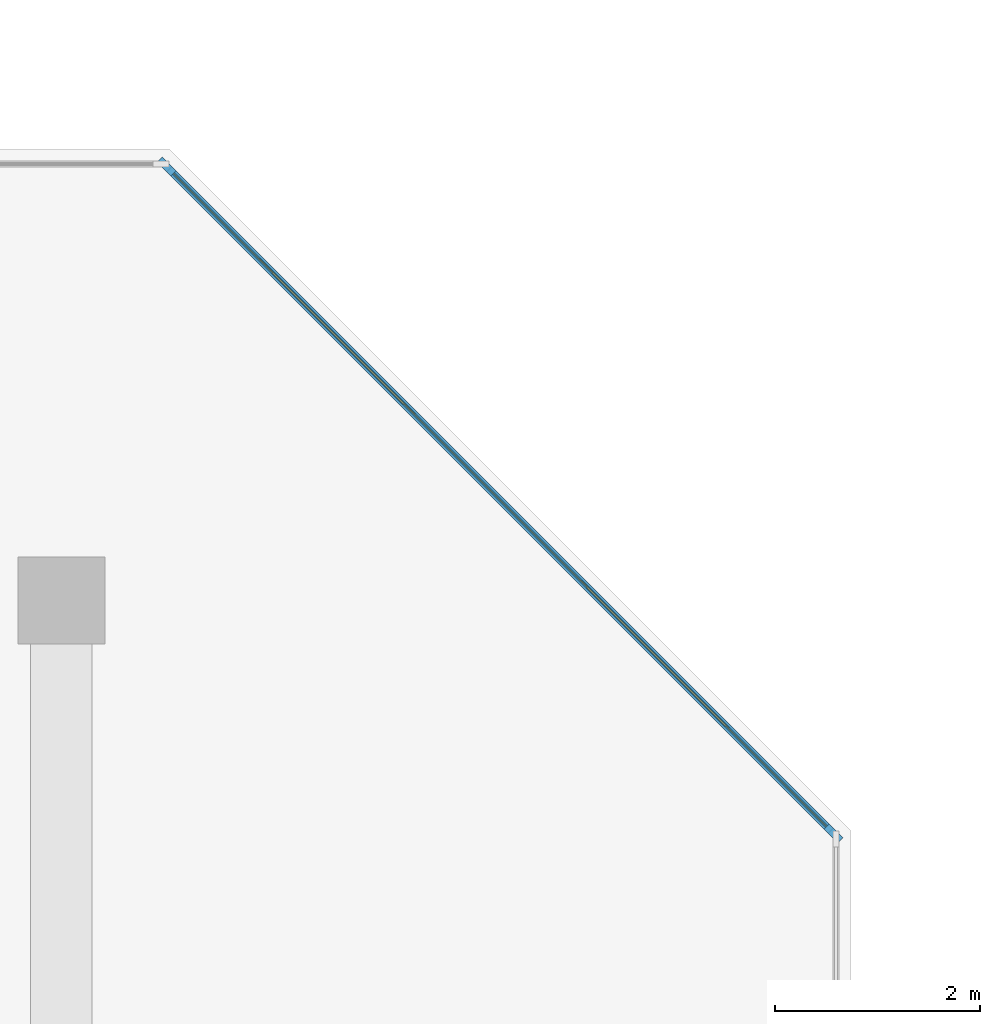
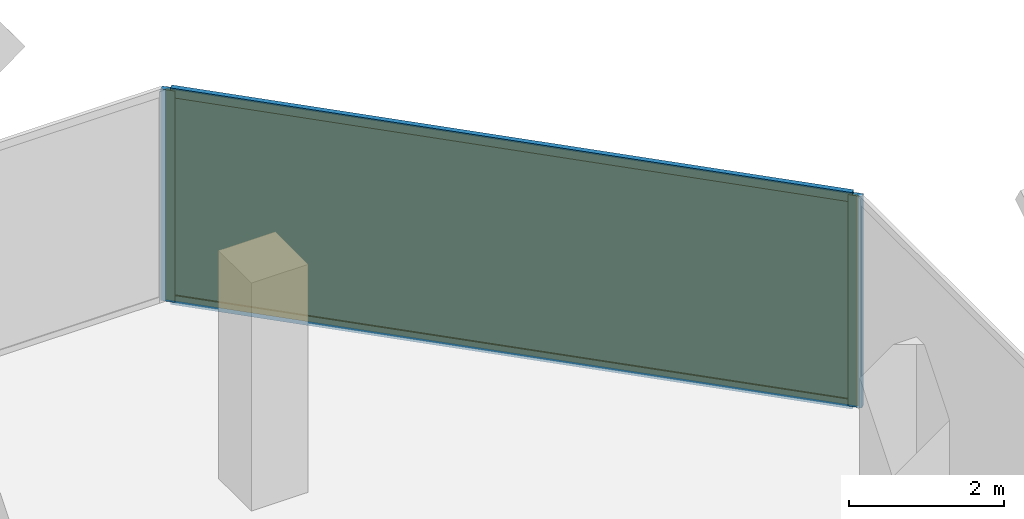
# One storey, part 12 of 15: 4 members, 1 curtain wall, 1 plate.
"""IFC4 building model written with IfcOpenShell, lengths in metres."""

from ifc_helpers import new_model, si_unit, direction, frame, frame_2d, origin, origin_2d, place, context, subcontext, project, spatial, rectangle, extrude, material, layer, layer_set, material_profile, profile_set, type_object, element, aggregate, save


model = new_model("IFC4")

# Units and contexts
model_context = context("Model", 3, precision=1e-05, world=origin(), true_north=direction((0.0, 1.0)))
body_context = subcontext(model_context, "Body", "Model", "MODEL_VIEW")
ifc_project = project(units=[si_unit("LENGTHUNIT", "METRE"), si_unit("AREAUNIT", "SQUARE_METRE"), si_unit("VOLUMEUNIT", "CUBIC_METRE"), si_unit("PLANEANGLEUNIT", "RADIAN"), si_unit("MASSUNIT", "GRAM", prefix="KILO")], contexts=[model_context])

# Member
ifc_material_1 = material(Name="Anodised Bronze Aluminium 6063-T6", Category="aluminium")
ifc_material_profile_1 = material_profile(ifc_material_1, rectangle(XDim=0.070068359375, YDim=0.18994140625, at=origin_2d()))
ifc_profile_set_1 = profile_set([ifc_material_profile_1], Name="Anodised Bronze Aluminium 6063-T6")
member_type_1 = type_object("IfcMemberType", Name="CW-SLC Mullion 70x190", PredefinedType="MULLION", material=ifc_profile_set_1)
site_placement = place(None, origin())
building_placement = place(site_placement, origin())
storey_placement = place(building_placement, frame((0.0, 0.0, 251.199951171875)))
member_1_placement = place(storey_placement, frame((15.4267578125, 24.835205078125, 0.0), z_axis=(0.0, 0.0, 1.0), x_axis=(0.707106781187, 0.707106781187, 0.0)))
member_1 = element("IfcMember", 1, at=member_1_placement, type_object=member_type_1, Name="CW-SLC mullion 1", PredefinedType="MULLION", context=body_context, shape_type="SweptSolid", body=[
    extrude(rectangle(XDim=0.070068359375, YDim=0.18994140625, at=origin_2d()), origin(), (0.0, 0.0, 1.0), 3.340087890625),
])

member_2_placement = place(storey_placement, frame((21.935302734375, 18.32666015625, 0.0), z_axis=(0.0, 0.0, 1.0), x_axis=(0.707106781187, 0.707106781187, 0.0)))
member_2 = element("IfcMember", 2, at=member_2_placement, type_object=member_type_1, Name="CW-SLC mullion 2", PredefinedType="MULLION", context=body_context, shape_type="SweptSolid", body=[
    extrude(rectangle(XDim=0.070068359375, YDim=0.18994140625, at=origin_2d()), origin(), (0.0, 0.0, 1.0), 3.340087890625),
])

ifc_material_2 = material(Name="Anodised Bronze Aluminium 6063-T6", Category="aluminium")
ifc_material_profile_2 = material_profile(ifc_material_2, rectangle(XDim=0.070068359375, YDim=0.14990234375, at=origin_2d()))
ifc_profile_set_2 = profile_set([ifc_material_profile_2], Name="Anodised Bronze Aluminium 6063-T6")
member_type_2 = type_object("IfcMemberType", Name="CW-SLC Transom 70x150", PredefinedType="USERDEFINED", material=ifc_profile_set_2)
member_3_placement = place(storey_placement, frame((15.451416015625, 24.810546875, 0.03515625), z_axis=(0.707106781187, -0.707106781187, 0.0), x_axis=(0.707106781187, 0.707106781187, 0.0)))
member_3 = element("IfcMember", 3, at=member_3_placement, type_object=member_type_2, Name="CW-SLC transom 1.1", ObjectType="TRANSOM", PredefinedType="USERDEFINED", context=body_context, shape_type="SweptSolid", body=[
    extrude(rectangle(XDim=0.070068359375, YDim=0.14990234375, at=origin_2d()), origin(), (0.0, 0.0, 1.0), 9.13427734375),
])

member_4_placement = place(storey_placement, frame((15.451416015625, 24.810546875, 3.304931640625), z_axis=(0.707106781187, -0.707106781187, 0.0), x_axis=(0.707106781187, 0.707106781187, 0.0)))
member_4 = element("IfcMember", 4, at=member_4_placement, type_object=member_type_2, Name="CW-SLC transom 1.2", ObjectType="TRANSOM", PredefinedType="USERDEFINED", context=body_context, shape_type="SweptSolid", body=[
    extrude(rectangle(XDim=0.070068359375, YDim=0.14990234375, at=origin_2d()), origin(), (0.0, 0.0, 1.0), 9.13427734375),
])

# Plate
ifc_material_3 = material(Name="Low-E Solar Control Laminated Glass", Category="glass")
ifc_layer_1 = layer(ifc_material_3, 0.033935546875, Name="Low-E Solar Control Laminated Glass")
ifc_layer_set_1 = layer_set([ifc_layer_1], Name="Low-E Solar Control Laminated Glass")
plate_type = type_object("IfcPlateType", Name="CW-SLC Low-E Double Glazed Panel 34mm", PredefinedType="CURTAIN_PANEL", material=ifc_layer_set_1)
plate_placement = place(storey_placement, frame((18.680908203125, 21.5810546875, 0.0703125), z_axis=(0.0, 0.0, 1.0), x_axis=(0.707106781187, -0.707106781187, 0.0)))
plate = element("IfcPlate", 5, at=plate_placement, type_object=plate_type, Name="CW-SLC panel 1.1", PredefinedType="CURTAIN_PANEL", context=body_context, shape_type="SweptSolid", body=[
    extrude(rectangle(XDim=9.134521484375, YDim=0.033935546875, at=origin_2d()), origin(), (0.0, 0.0, 1.0), 3.199951171875),
])

# Site, building, storey
site = spatial("IfcSite", under=ifc_project, at=site_placement, CompositionType="ELEMENT")
building = spatial("IfcBuilding", under=site, at=building_placement, Name="Khairoan Windgate Tower", CompositionType="ELEMENT")
storey = spatial("IfcBuildingStorey", under=building, at=storey_placement, Name="L59", CompositionType="ELEMENT", Elevation=251.199951171875)

# Curtain wall
ifc_material_4 = material(Name="Anodised Bronze Aluminium 6063-T6", Category="aluminium")
ifc_layer_2 = layer(ifc_material_4, 0.18994140625, Name="Anodised Bronze Aluminium 6063-T6")
ifc_layer_set_2 = layer_set([ifc_layer_2], Name="Anodised Bronze Aluminium 6063-T6")
curtain_wall_type = type_object("IfcCurtainWallType", Name="Diagonal Corner-Slice Facet Curtain Wall CW-SLC", PredefinedType="NOTDEFINED", material=ifc_layer_set_2)
curtain_wall_placement = place(storey_placement, frame((15.402099609375, 24.860107421875, 0.0), z_axis=(0.0, 0.0, 1.0), x_axis=(0.707093618977, -0.707119943151, 0.0)))
curtain_wall = element("IfcCurtainWall", 6, at=curtain_wall_placement, inside=storey, type_object=curtain_wall_type, Name="L59 Crystal Slice Curtain Wall 10", PredefinedType="NOTDEFINED", context=body_context, shape_type="SweptSolid", body=[
    extrude(rectangle(XDim=9.2744140625, YDim=0.010009765625, at=frame_2d((4.63720703125, 0.0))), origin(), (0.0, 0.0, 1.0), 3.340087890625),
])

aggregate(curtain_wall, [member_1, member_2, member_3, member_4, plate])

save(model, "model.ifc")
